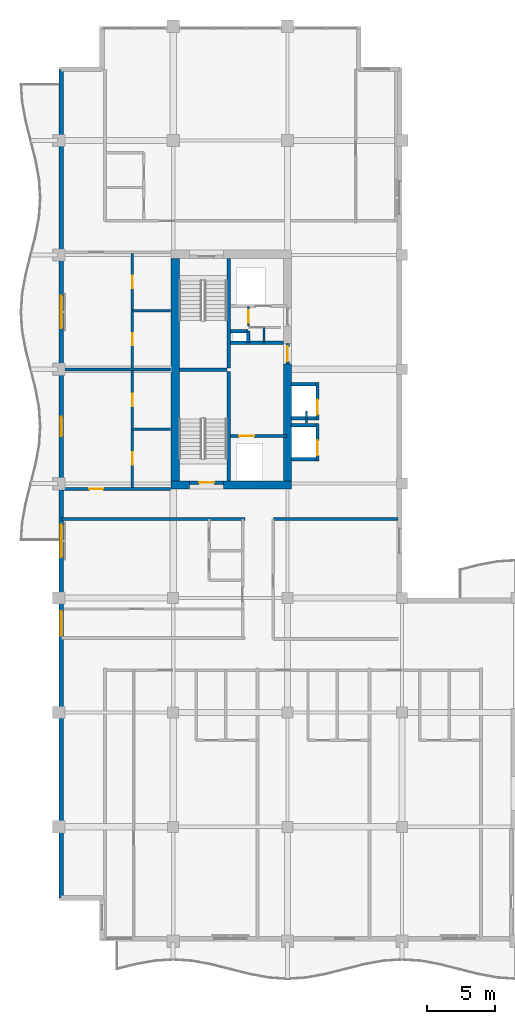
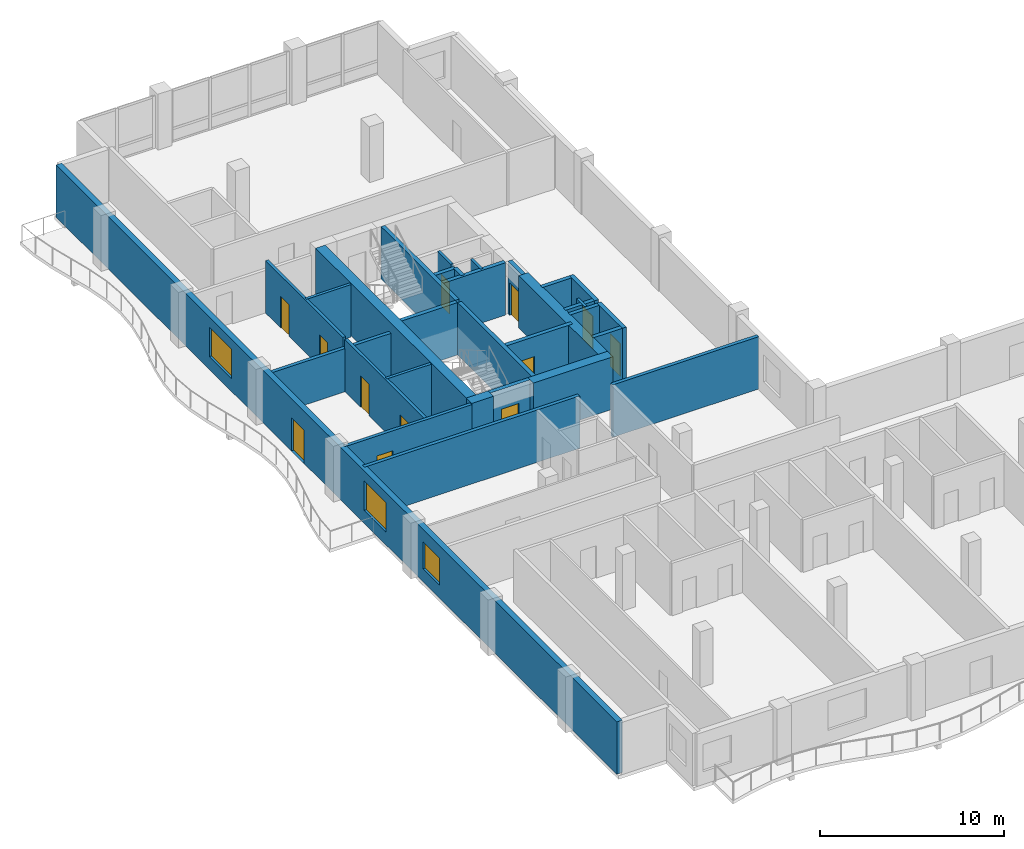
# One storey, part 9 of 16: 31 walls, 12 doors, 3 windows, 15 openings.
"""IFC4 building model written with IfcOpenShell, lengths in metres."""

from ifc_helpers import new_model, si_unit, direction, frame, frame_2d, origin, place, context, subcontext, project, spatial, rectangle, extrude, material, layer, layer_set, type_object, element, fill, save


model = new_model("IFC4")

# Units and contexts
model_context = context("Model", 3, precision=1e-05, world=origin(), true_north=direction((0.0, 1.0)))
body_context = subcontext(model_context, "Body", "Model", "MODEL_VIEW")
ifc_project = project(units=[si_unit("LENGTHUNIT", "METRE"), si_unit("AREAUNIT", "SQUARE_METRE"), si_unit("VOLUMEUNIT", "CUBIC_METRE"), si_unit("PLANEANGLEUNIT", "RADIAN"), si_unit("MASSUNIT", "GRAM", prefix="KILO")], contexts=[model_context])

# Site, building, storey
site_placement = place(None, origin())
site = spatial("IfcSite", under=ifc_project, at=site_placement, CompositionType="ELEMENT")
building_placement = place(site_placement, origin())
building = spatial("IfcBuilding", under=site, at=building_placement, Name="Koriwani Terraces Tower", CompositionType="ELEMENT")
storey_placement = place(building_placement, frame((0.0, 0.0, 252.699951171875)))
storey = spatial("IfcBuildingStorey", under=building, at=storey_placement, Name="L62", CompositionType="ELEMENT", Elevation=252.699951171875)

# Walls
ifc_material_1 = material(Name="Concrete C60/75", Category="concrete")
ifc_layer_1 = layer(ifc_material_1, 0.60009765625, Name="Concrete C60/75")
ifc_layer_set_1 = layer_set([ifc_layer_1], Name="Concrete C60/75")
wall_type_1 = type_object("IfcWallType", Name="WALL_CORE_RC_600", PredefinedType="SHEAR", material=ifc_layer_set_1)
wall_1_placement = place(storey_placement, frame((16.64990234375, 41.89990234375, 0.0), z_axis=(0.0, 0.0, 1.0), x_axis=(1.0, 0.0, 0.0)))
element("IfcWall", 1, at=wall_1_placement, inside=storey, type_object=wall_type_1, Name="L62 West Split Core Shear Wall S1", PredefinedType="SHEAR", context=body_context, shape_type="SweptSolid", body=[
    extrude(rectangle(XDim=1.35009765625, YDim=0.60009765625, at=frame_2d((0.675048828125, 0.0))), origin(), (0.0, 0.0, 1.0), 3.469970703125),
])
wall_2_placement = place(storey_placement, frame((20.5, 41.89990234375, 0.0), z_axis=(0.0, 0.0, 1.0), x_axis=(1.0, 0.0, 0.0)))
element("IfcWall", 2, at=wall_2_placement, inside=storey, type_object=wall_type_1, Name="L62 West Split Core Shear Wall S2", PredefinedType="SHEAR", context=body_context, shape_type="SweptSolid", body=[
    extrude(rectangle(XDim=5.0, YDim=0.60009765625, at=frame_2d((2.5, 0.0))), origin(), (0.0, 0.0, 1.0), 3.469970703125),
])
wall_3_placement = place(storey_placement, frame((16.949951171875, 42.199951171875, 0.0), z_axis=(0.0, 0.0, 1.0), x_axis=(0.0, 1.0, 0.0)))
element("IfcWall", 3, at=wall_3_placement, inside=storey, type_object=wall_type_1, Name="L62 West Split Core Shear Wall W1", PredefinedType="SHEAR", context=body_context, shape_type="SweptSolid", body=[
    extrude(rectangle(XDim=16.35009765625, YDim=0.60009765625, at=frame_2d((8.175048828125, 0.0))), origin(), (0.0, 0.0, 1.0), 3.469970703125),
])
wall_4_placement = place(storey_placement, frame((25.199951171875, 42.199951171875, 0.0), z_axis=(0.0, 0.0, 1.0), x_axis=(0.0, 1.0, 0.0)))
element("IfcWall", 4, at=wall_4_placement, inside=storey, type_object=wall_type_1, Name="L62 West Split Core Shear Wall E1", PredefinedType="SHEAR", context=body_context, shape_type="SweptSolid", body=[
    extrude(rectangle(XDim=8.60009765625, YDim=0.60009765625, at=frame_2d((4.300048828125, 0.0))), origin(), (0.0, 0.0, 1.0), 3.469970703125),
])

# Wall, opening, door
ifc_material_2 = material(Name="Autoclaved Cellular Concrete Blockwork", Category="masonry")
ifc_layer_2 = layer(ifc_material_2, 0.199951171875, Name="Autoclaved Cellular Concrete Blockwork")
ifc_layer_set_2 = layer_set([ifc_layer_2], Name="Autoclaved Cellular Concrete Blockwork")
wall_type_2 = type_object("IfcWallType", Name="WALL_CORRIDOR_200", PredefinedType="PARTITIONING", material=ifc_layer_set_2)
wall_5_placement = place(storey_placement, frame((8.64990234375, 41.60009765625, 0.0), z_axis=(0.0, 0.0, 1.0), x_axis=(1.0, 0.0, 0.0)))
wall_5 = element("IfcWall", 5, at=wall_5_placement, inside=storey, type_object=wall_type_2, Name="L62 Interior Wall WRZ4-WS-L62", PredefinedType="PARTITIONING", context=body_context, shape_type="SweptSolid", body=[
    extrude(rectangle(XDim=7.9501953125, YDim=0.199951171875, at=frame_2d((3.97509765625, 0.0))), origin(), (0.0, 0.0, 1.0), 3.469970703125),
])
opening_1_placement = place(wall_5_placement, frame((2.0, 0.0, 0.0)))
opening_1 = element("IfcOpeningElement", 6, at=opening_1_placement, cuts=wall_5, Name="Opening D-05", PredefinedType="OPENING", context=body_context, shape_type="SweptSolid", body=[
    extrude(rectangle(XDim=1.0, YDim=2.14990234375, at=frame_2d((0.5, 1.074951171875))), frame((0.0, 0.10986328125, 0.0), z_axis=(0.0, -1.0, 0.0), x_axis=(1.0, 0.0, 0.0)), (0.0, 0.0, 1.0), 0.219970703125),
])
ifc_material_3 = material(Name="Architectural Oak Fire Door", Category="wood")
door_type_1 = type_object("IfcDoorType", Name="DOOR_SUITE_ENTRY_1000X2150", OperationType="NOTDEFINED", PredefinedType="DOOR", material=ifc_material_3)
door_1_placement = place(opening_1_placement, origin())
door_1 = element("IfcDoor", 7, at=door_1_placement, inside=storey, type_object=door_type_1, Name="Apartment 62RW1 Entrance Door", OperationType="SINGLE_SWING_LEFT", OverallHeight=2.14990234375, OverallWidth=1.0, PredefinedType="DOOR", context=body_context, shape_type="SweptSolid", body=[
    extrude(rectangle(XDim=1.0, YDim=2.14990234375, at=frame_2d((0.5, 1.074951171875))), frame((0.0, 0.02490234375, 0.0), z_axis=(0.0, -1.0, 0.0), x_axis=(1.0, 0.0, 0.0)), (0.0, 0.0, 1.0), 0.050048828125),
])
fill(opening_1, door_1)

# Walls
ifc_layer_3 = layer(ifc_material_2, 0.219970703125, Name="Autoclaved Cellular Concrete Blockwork")
ifc_layer_set_3 = layer_set([ifc_layer_3], Name="Autoclaved Cellular Concrete Blockwork")
wall_type_3 = type_object("IfcWallType", Name="WALL_DEMISING_220", PredefinedType="PARTITIONING", material=ifc_layer_set_3)
wall_6_placement = place(storey_placement, frame((24.14990234375, 39.39990234375, 0.0), z_axis=(0.0, 0.0, 1.0), x_axis=(1.0, 0.0, 0.0)))
element("IfcWall", 8, at=wall_6_placement, inside=storey, type_object=wall_type_3, Name="L62 Interior Wall WIC4WN-L62", PredefinedType="PARTITIONING", context=body_context, shape_type="SweptSolid", body=[
    extrude(rectangle(XDim=9.150146484375, YDim=0.219970703125, at=frame_2d((4.5751953125, 0.0))), origin(), (0.0, 0.0, 1.0), 3.469970703125),
])
wall_7_placement = place(storey_placement, frame((8.64990234375, 50.39990234375, 0.0), z_axis=(0.0, 0.0, 1.0), x_axis=(1.0, 0.0, 0.0)))
element("IfcWall", 9, at=wall_7_placement, inside=storey, type_object=wall_type_3, Name="L62 Interior Wall WRZ4-WM-L62", PredefinedType="PARTITIONING", context=body_context, shape_type="SweptSolid", body=[
    extrude(rectangle(XDim=7.9501953125, YDim=0.219970703125, at=frame_2d((3.97509765625, 0.0))), origin(), (0.0, 0.0, 1.0), 2.859130859375),
])
wall_8_placement = place(storey_placement, frame((8.60009765625, 39.39990234375, 0.0), z_axis=(0.0, 0.0, 1.0), x_axis=(1.0, 0.0, 0.0)))
element("IfcWall", 10, at=wall_8_placement, inside=storey, type_object=wall_type_3, Name="L62 Interior Wall WRDEME-L62-NE", PredefinedType="PARTITIONING", context=body_context, shape_type="SweptSolid", body=[
    extrude(rectangle(XDim=13.47998046875, YDim=0.219970703125, at=frame_2d((6.739990234375, 0.0))), origin(), (0.0, 0.0, 1.0), 3.469970703125),
])

# Wall, openings, door, windows
ifc_material_4 = material(Name="Concrete C50/60", Category="concrete")
ifc_layer_4 = layer(ifc_material_4, 0.35009765625, Name="Concrete C50/60")
ifc_layer_set_4 = layer_set([ifc_layer_4], Name="Concrete C50/60")
wall_type_4 = type_object("IfcWallType", Name="WALL_EXT_BRUTALIST_350", PredefinedType="STANDARD", material=ifc_layer_set_4)
wall_9_placement = place(storey_placement, frame((8.574951171875, 11.574951171875, 0.0), z_axis=(0.0, 0.0, 1.0), x_axis=(0.0, 1.0, 0.0)))
wall_9 = element("IfcWall", 11, at=wall_9_placement, inside=storey, type_object=wall_type_4, Name="L62 Fair-Faced Brutalist Exterior Wall (W)", PredefinedType="STANDARD", context=body_context, shape_type="SweptSolid", body=[
    extrude(rectangle(XDim=60.85009765625, YDim=0.35009765625, at=frame_2d((30.425048828125, 0.0))), origin(), (0.0, 0.0, 1.0), 3.469970703125),
])
opening_2_placement = place(wall_9_placement, frame((33.925048828125, 0.0, 0.0)))
opening_2 = element("IfcOpeningElement", 12, at=opening_2_placement, cuts=wall_9, Name="Opening D-09", PredefinedType="OPENING", context=body_context, shape_type="SweptSolid", body=[
    extrude(rectangle(XDim=1.39990234375, YDim=2.199951171875, at=frame_2d((0.699951171875, 1.10009765625))), frame((0.0, 0.18505859375, 0.0), z_axis=(0.0, -1.0, 0.0), x_axis=(1.0, 0.0, 0.0)), (0.0, 0.0, 1.0), 0.3701171875),
])
opening_3_placement = place(wall_9_placement, frame((25.02490234375, 0.0, 0.85009765625)))
opening_3 = element("IfcOpeningElement", 13, at=opening_3_placement, cuts=wall_9, Name="Opening W-03", PredefinedType="OPENING", context=body_context, shape_type="SweptSolid", body=[
    extrude(rectangle(XDim=2.39990234375, YDim=1.949951171875, at=frame_2d((1.199951171875, 0.97509765625))), frame((0.0, 0.18505859375, 0.0), z_axis=(0.0, -1.0, 0.0), x_axis=(1.0, 0.0, 0.0)), (0.0, 0.0, 1.0), 0.3701171875),
])
opening_4_placement = place(wall_9_placement, frame((41.824951171875, 0.0, 0.85009765625)))
opening_4 = element("IfcOpeningElement", 14, at=opening_4_placement, cuts=wall_9, Name="Opening W-03", PredefinedType="OPENING", context=body_context, shape_type="SweptSolid", body=[
    extrude(rectangle(XDim=2.39990234375, YDim=1.949951171875, at=frame_2d((1.199951171875, 0.97509765625))), frame((0.0, 0.18505859375, 0.0), z_axis=(0.0, -1.0, 0.0), x_axis=(1.0, 0.0, 0.0)), (0.0, 0.0, 1.0), 0.3701171875),
])
opening_5_placement = place(wall_9_placement, frame((19.25, 0.0, 0.85009765625)))
opening_5 = element("IfcOpeningElement", 15, at=opening_5_placement, cuts=wall_9, Name="Opening W-04", PredefinedType="OPENING", context=body_context, shape_type="SweptSolid", body=[
    extrude(rectangle(XDim=1.800048828125, YDim=1.800048828125, at=frame_2d((0.89990234375, 0.89990234375))), frame((0.0, 0.18505859375, 0.0), z_axis=(0.0, -1.0, 0.0), x_axis=(1.0, 0.0, 0.0)), (0.0, 0.0, 1.0), 0.3701171875),
])
ifc_material_5 = material(Name="Anodised Bronze Aluminium", Category="aluminium")
door_type_2 = type_object("IfcDoorType", Name="DOOR_BALCONY_GLAZED_1400X2200", OperationType="NOTDEFINED", PredefinedType="DOOR", material=ifc_material_5)
door_2_placement = place(opening_2_placement, origin())
door_2 = element("IfcDoor", 16, at=door_2_placement, inside=storey, type_object=door_type_2, Name="L62 West Balcony Glazed Door", OperationType="SINGLE_SWING_LEFT", OverallHeight=2.199951171875, OverallWidth=1.39990234375, PredefinedType="DOOR", context=body_context, shape_type="SweptSolid", body=[
    extrude(rectangle(XDim=1.39990234375, YDim=2.199951171875, at=frame_2d((0.699951171875, 1.10009765625))), frame((0.0, 0.02490234375, 0.0), z_axis=(0.0, -1.0, 0.0), x_axis=(1.0, 0.0, 0.0)), (0.0, 0.0, 1.0), 0.050048828125),
])
fill(opening_2, door_2)
ifc_material_6 = material(Name="Tempered Laminated Low-E Glass", Category="glass")
window_type_1 = type_object("IfcWindowType", Name="WIN_RES_BED_1800X1800", PartitioningType="DOUBLE_PANEL_VERTICAL", PredefinedType="WINDOW", material=ifc_material_6)
window_1_placement = place(opening_5_placement, origin())
window_1 = element("IfcWindow", 17, at=window_1_placement, inside=storey, type_object=window_type_1, Name="L62 Exterior Window (W-R43)", OverallHeight=1.800048828125, OverallWidth=1.800048828125, PartitioningType="SINGLE_PANEL", PredefinedType="WINDOW", context=body_context, shape_type="SweptSolid", body=[
    extrude(rectangle(XDim=1.800048828125, YDim=1.800048828125, at=frame_2d((0.89990234375, 0.89990234375))), frame((0.0, 0.030029296875, 0.0), z_axis=(0.0, -1.0, 0.0), x_axis=(1.0, 0.0, 0.0)), (0.0, 0.0, 1.0), 0.06005859375),
])
fill(opening_5, window_1)
window_type_2 = type_object("IfcWindowType", Name="WIN_RES_LIVING_2400X1950", PartitioningType="DOUBLE_PANEL_VERTICAL", PredefinedType="WINDOW", material=ifc_material_6)
window_2_placement = place(opening_3_placement, origin())
window_2 = element("IfcWindow", 18, at=window_2_placement, inside=storey, type_object=window_type_2, Name="L62 Exterior Window (W-9)", OverallHeight=1.949951171875, OverallWidth=2.39990234375, PartitioningType="SINGLE_PANEL", PredefinedType="WINDOW", context=body_context, shape_type="SweptSolid", body=[
    extrude(rectangle(XDim=2.39990234375, YDim=1.949951171875, at=frame_2d((1.199951171875, 0.97509765625))), frame((0.0, 0.030029296875, 0.0), z_axis=(0.0, -1.0, 0.0), x_axis=(1.0, 0.0, 0.0)), (0.0, 0.0, 1.0), 0.06005859375),
])
fill(opening_3, window_2)
window_3_placement = place(opening_4_placement, origin())
window_3 = element("IfcWindow", 19, at=window_3_placement, inside=storey, type_object=window_type_2, Name="L62 Exterior Window (W-15)", OverallHeight=1.949951171875, OverallWidth=2.39990234375, PartitioningType="SINGLE_PANEL", PredefinedType="WINDOW", context=body_context, shape_type="SweptSolid", body=[
    extrude(rectangle(XDim=2.39990234375, YDim=1.949951171875, at=frame_2d((1.199951171875, 0.97509765625))), frame((0.0, 0.030029296875, 0.0), z_axis=(0.0, -1.0, 0.0), x_axis=(1.0, 0.0, 0.0)), (0.0, 0.0, 1.0), 0.06005859375),
])
fill(opening_4, window_3)

# Wall, openings, doors
ifc_material_7 = material(Name="Fire-Rated Acoustic Gypsum Partition", Category="masonry")
ifc_layer_5 = layer(ifc_material_7, 0.179931640625, Name="Fire-Rated Acoustic Gypsum Partition")
ifc_layer_set_5 = layer_set([ifc_layer_5], Name="Fire-Rated Acoustic Gypsum Partition")
wall_type_5 = type_object("IfcWallType", Name="WALL_PLUMBING_180", PredefinedType="PLUMBINGWALL", material=ifc_layer_set_5)
wall_10_placement = place(storey_placement, frame((13.800048828125, 41.699951171875, 0.0), z_axis=(0.0, 0.0, 1.0), x_axis=(0.0, 1.0, 0.0)))
wall_10 = element("IfcWall", 20, at=wall_10_placement, inside=storey, type_object=wall_type_5, Name="L62 Interior Wall WRZ4-RW1-PB-L62", PredefinedType="PLUMBINGWALL", context=body_context, shape_type="SweptSolid", body=[
    extrude(rectangle(XDim=8.60009765625, YDim=0.179931640625, at=frame_2d((4.300048828125, 0.0))), origin(), (0.0, 0.0, 1.0), 3.469970703125),
])
opening_6_placement = place(wall_10_placement, frame((1.699951171875, 0.0, 0.0)))
opening_6 = element("IfcOpeningElement", 21, at=opening_6_placement, cuts=wall_10, Name="Opening D-07", PredefinedType="OPENING", context=body_context, shape_type="SweptSolid", body=[
    extrude(rectangle(XDim=0.89990234375, YDim=2.10009765625, at=frame_2d((0.449951171875, 1.050048828125))), frame((0.0, 0.10009765625, 0.0), z_axis=(0.0, -1.0, 0.0), x_axis=(1.0, 0.0, 0.0)), (0.0, 0.0, 1.0), 0.199951171875),
])
opening_7_placement = place(wall_10_placement, frame((5.989990234375, 0.0, 0.0)))
opening_7 = element("IfcOpeningElement", 22, at=opening_7_placement, cuts=wall_10, Name="Opening D-06", PredefinedType="OPENING", context=body_context, shape_type="SweptSolid", body=[
    extrude(rectangle(XDim=0.919921875, YDim=2.10009765625, at=frame_2d((0.4599609375, 1.050048828125))), frame((0.0, 0.10009765625, 0.0), z_axis=(0.0, -1.0, 0.0), x_axis=(1.0, 0.0, 0.0)), (0.0, 0.0, 1.0), 0.199951171875),
])
door_type_3 = type_object("IfcDoorType", Name="DOOR_BATH_INT_900X2100", OperationType="NOTDEFINED", PredefinedType="DOOR", material=ifc_material_3)
door_3_placement = place(opening_6_placement, origin())
door_3 = element("IfcDoor", 23, at=door_3_placement, inside=storey, type_object=door_type_3, Name="Apartment 62RW1 Bathroom Door", OperationType="SINGLE_SWING_LEFT", OverallHeight=2.10009765625, OverallWidth=0.89990234375, PredefinedType="DOOR", context=body_context, shape_type="SweptSolid", body=[
    extrude(rectangle(XDim=0.89990234375, YDim=2.10009765625, at=frame_2d((0.449951171875, 1.050048828125))), frame((0.0, 0.02490234375, 0.0), z_axis=(0.0, -1.0, 0.0), x_axis=(1.0, 0.0, 0.0)), (0.0, 0.0, 1.0), 0.050048828125),
])
fill(opening_6, door_3)
door_type_4 = type_object("IfcDoorType", Name="DOOR_ROOM_INT_920X2100", OperationType="NOTDEFINED", PredefinedType="DOOR", material=ifc_material_3)
door_4_placement = place(opening_7_placement, origin())
door_4 = element("IfcDoor", 24, at=door_4_placement, inside=storey, type_object=door_type_4, Name="Apartment 62RW1 Kitchen Door", OperationType="SINGLE_SWING_RIGHT", OverallHeight=2.10009765625, OverallWidth=0.919921875, PredefinedType="DOOR", context=body_context, shape_type="SweptSolid", body=[
    extrude(rectangle(XDim=0.919921875, YDim=2.10009765625, at=frame_2d((0.4599609375, 1.050048828125))), frame((0.0, 0.02490234375, 0.0), z_axis=(0.0, -1.0, 0.0), x_axis=(1.0, 0.0, 0.0)), (0.0, 0.0, 1.0), 0.050048828125),
])
fill(opening_7, door_4)

# Wall
wall_11_placement = place(storey_placement, frame((13.800048828125, 46.0, 0.0), z_axis=(0.0, 0.0, 1.0), x_axis=(1.0, 0.0, 0.0)))
element("IfcWall", 25, at=wall_11_placement, inside=storey, type_object=wall_type_5, Name="L62 Interior Wall WRZ4-RW1-P2-L62", PredefinedType="PLUMBINGWALL", context=body_context, shape_type="SweptSolid", body=[
    extrude(rectangle(XDim=2.800048828125, YDim=0.179931640625, at=frame_2d((1.39990234375, 0.0))), origin(), (0.0, 0.0, 1.0), 3.469970703125),
])

# Wall, openings, doors
wall_12_placement = place(storey_placement, frame((13.800048828125, 50.5, 0.0), z_axis=(0.0, 0.0, 1.0), x_axis=(0.0, 1.0, 0.0)))
wall_12 = element("IfcWall", 26, at=wall_12_placement, inside=storey, type_object=wall_type_5, Name="L62 Interior Wall WRZ4-RW2-PB-L62", PredefinedType="PLUMBINGWALL", context=body_context, shape_type="SweptSolid", body=[
    extrude(rectangle(XDim=8.39990234375, YDim=0.179931640625, at=frame_2d((4.199951171875, 0.0))), origin(), (0.0, 0.0, 1.0), 3.469970703125),
])
opening_8_placement = place(wall_12_placement, frame((1.64990234375, 0.0, 0.0)))
opening_8 = element("IfcOpeningElement", 27, at=opening_8_placement, cuts=wall_12, Name="Opening D-07", PredefinedType="OPENING", context=body_context, shape_type="SweptSolid", body=[
    extrude(rectangle(XDim=0.89990234375, YDim=2.10009765625, at=frame_2d((0.449951171875, 1.050048828125))), frame((0.0, 0.10009765625, 0.0), z_axis=(0.0, -1.0, 0.0), x_axis=(1.0, 0.0, 0.0)), (0.0, 0.0, 1.0), 0.199951171875),
])
opening_9_placement = place(wall_12_placement, frame((5.840087890625, 0.0, 0.0)))
opening_9 = element("IfcOpeningElement", 28, at=opening_9_placement, cuts=wall_12, Name="Opening D-06", PredefinedType="OPENING", context=body_context, shape_type="SweptSolid", body=[
    extrude(rectangle(XDim=0.919921875, YDim=2.10009765625, at=frame_2d((0.4599609375, 1.050048828125))), frame((0.0, 0.10009765625, 0.0), z_axis=(0.0, -1.0, 0.0), x_axis=(1.0, 0.0, 0.0)), (0.0, 0.0, 1.0), 0.199951171875),
])
door_5_placement = place(opening_8_placement, origin())
door_5 = element("IfcDoor", 29, at=door_5_placement, inside=storey, type_object=door_type_3, Name="Apartment 62RW2 Bathroom Door", OperationType="SINGLE_SWING_LEFT", OverallHeight=2.10009765625, OverallWidth=0.89990234375, PredefinedType="DOOR", context=body_context, shape_type="SweptSolid", body=[
    extrude(rectangle(XDim=0.89990234375, YDim=2.10009765625, at=frame_2d((0.449951171875, 1.050048828125))), frame((0.0, 0.02490234375, 0.0), z_axis=(0.0, -1.0, 0.0), x_axis=(1.0, 0.0, 0.0)), (0.0, 0.0, 1.0), 0.050048828125),
])
fill(opening_8, door_5)
door_6_placement = place(opening_9_placement, origin())
door_6 = element("IfcDoor", 30, at=door_6_placement, inside=storey, type_object=door_type_4, Name="Apartment 62RW2 Kitchen Door", OperationType="SINGLE_SWING_RIGHT", OverallHeight=2.10009765625, OverallWidth=0.919921875, PredefinedType="DOOR", context=body_context, shape_type="SweptSolid", body=[
    extrude(rectangle(XDim=0.919921875, YDim=2.10009765625, at=frame_2d((0.4599609375, 1.050048828125))), frame((0.0, 0.02490234375, 0.0), z_axis=(0.0, -1.0, 0.0), x_axis=(1.0, 0.0, 0.0)), (0.0, 0.0, 1.0), 0.050048828125),
])
fill(opening_9, door_6)

# Walls
wall_13_placement = place(storey_placement, frame((13.800048828125, 54.699951171875, 0.0), z_axis=(0.0, 0.0, 1.0), x_axis=(1.0, 0.0, 0.0)))
element("IfcWall", 31, at=wall_13_placement, inside=storey, type_object=wall_type_5, Name="L62 Interior Wall WRZ4-RW2-P2-L62", PredefinedType="PLUMBINGWALL", context=body_context, shape_type="SweptSolid", body=[
    extrude(rectangle(XDim=2.800048828125, YDim=0.179931640625, at=frame_2d((1.39990234375, 0.0))), origin(), (0.0, 0.0, 1.0), 3.469970703125),
])
ifc_material_8 = material(Name="Concrete C40/50", Category="concrete")
ifc_layer_6 = layer(ifc_material_8, 0.25, Name="Concrete C40/50")
ifc_layer_set_6 = layer_set([ifc_layer_6], Name="Concrete C40/50")
wall_type_6 = type_object("IfcWallType", Name="WALL_SHAFT_RATED_250", PredefinedType="SOLIDWALL", material=ifc_layer_set_6)
for number, where, z_axis, x_axis, name in (
    (32, (20.875, 42.199951171875, 0.0), (0.0, 0.0, 1.0), (0.0, 1.0, 0.0), "L62 West Split Core Web Wall MID1"),
    (33, (20.875, 50.5, 0.0), (0.0, 0.0, 1.0), (0.0, 1.0, 0.0), "L62 West Split Core Web Wall MID2"),
):
    element("IfcWall", number, at=place(storey_placement, frame(where, z_axis=z_axis, x_axis=x_axis)), inside=storey, type_object=wall_type_6, Name=name, PredefinedType="SOLIDWALL", context=body_context, shape_type="SweptSolid", body=[
        extrude(rectangle(XDim=8.050048828125, YDim=0.25, at=frame_2d((4.02490234375, 0.0))), origin(), (0.0, 0.0, 1.0), 3.469970703125),
    ])
wall_14_placement = place(storey_placement, frame((17.25, 50.375, 0.0), z_axis=(0.0, 0.0, 1.0), x_axis=(1.0, 0.0, 0.0)))
element("IfcWall", 34, at=wall_14_placement, inside=storey, type_object=wall_type_6, Name="L62 West Split Core Stair Dividing Wall", PredefinedType="SOLIDWALL", context=body_context, shape_type="SweptSolid", body=[
    extrude(rectangle(XDim=3.5, YDim=0.25, at=frame_2d((1.75, 0.0))), origin(), (0.0, 0.0, 1.0), 3.469970703125),
])

# Wall, opening, door
wall_15_placement = place(storey_placement, frame((18.0, 42.074951171875, 0.0), z_axis=(0.0, 0.0, 1.0), x_axis=(1.0, 0.0, 0.0)))
wall_15 = element("IfcWall", 35, at=wall_15_placement, inside=storey, type_object=wall_type_6, Name="L62 Interior Wall WIN-CW-L62-STS", PredefinedType="SOLIDWALL", context=body_context, shape_type="SweptSolid", body=[
    extrude(rectangle(XDim=2.5, YDim=0.25, at=frame_2d((1.25, 0.0))), origin(), (0.0, 0.0, 1.0), 3.469970703125),
])
opening_10_placement = place(wall_15_placement, frame((0.699951171875, 0.0, 0.0)))
opening_10 = element("IfcOpeningElement", 36, at=opening_10_placement, cuts=wall_15, Name="Opening D-03", PredefinedType="OPENING", context=body_context, shape_type="SweptSolid", body=[
    extrude(rectangle(XDim=1.10009765625, YDim=2.14990234375, at=frame_2d((0.550048828125, 1.074951171875))), frame((0.0, 0.135009765625, 0.0), z_axis=(0.0, -1.0, 0.0), x_axis=(1.0, 0.0, 0.0)), (0.0, 0.0, 1.0), 0.27001953125),
])
ifc_material_9 = material(Name="Steel ASTM A572 Grade 50", Category="steel")
door_type_5 = type_object("IfcDoorType", Name="DOOR_STAIR_FIRE_1100X2150", OperationType="NOTDEFINED", PredefinedType="DOOR", material=ifc_material_9)
door_7_placement = place(opening_10_placement, origin())
door_7 = element("IfcDoor", 37, at=door_7_placement, inside=storey, type_object=door_type_5, Name="L62 Exit Stair ST-W1 Door", OperationType="SINGLE_SWING_RIGHT", OverallHeight=2.14990234375, OverallWidth=1.10009765625, PredefinedType="DOOR", context=body_context, shape_type="SweptSolid", body=[
    extrude(rectangle(XDim=1.10009765625, YDim=2.14990234375, at=frame_2d((0.550048828125, 1.074951171875))), frame((0.0, 0.02490234375, 0.0), z_axis=(0.0, -1.0, 0.0), x_axis=(1.0, 0.0, 0.0)), (0.0, 0.0, 1.0), 0.050048828125),
])
fill(opening_10, door_7)

wall_16_placement = place(storey_placement, frame((21.0, 45.5, 0.0), z_axis=(0.0, 0.0, 1.0), x_axis=(1.0, 0.0, 0.0)))
wall_16 = element("IfcWall", 38, at=wall_16_placement, inside=storey, type_object=wall_type_6, Name="L62 Interior Wall WIN-CW-L62-FE", PredefinedType="SOLIDWALL", context=body_context, shape_type="SweptSolid", body=[
    extrude(rectangle(XDim=4.14990234375, YDim=0.25, at=frame_2d((2.074951171875, 0.0))), origin(), (0.0, 0.0, 1.0), 3.469970703125),
])
opening_11_placement = place(wall_16_placement, frame((0.64990234375, 0.0, 0.0)))
opening_11 = element("IfcOpeningElement", 39, at=opening_11_placement, cuts=wall_16, Name="Opening LD-01", PredefinedType="OPENING", context=body_context, shape_type="SweptSolid", body=[
    extrude(rectangle(XDim=1.10009765625, YDim=2.14990234375, at=frame_2d((0.550048828125, 1.074951171875))), frame((0.0, 0.135009765625, 0.0), z_axis=(0.0, -1.0, 0.0), x_axis=(1.0, 0.0, 0.0)), (0.0, 0.0, 1.0), 0.27001953125),
])
door_type_6 = type_object("IfcDoorType", Name="DOOR_LIFT_LANDING_1100X2200", OperationType="NOTDEFINED", PredefinedType="DOOR", material=ifc_material_9)
door_8_placement = place(opening_11_placement, origin())
door_8 = element("IfcDoor", 40, at=door_8_placement, inside=storey, type_object=door_type_6, Name="L62 Firefighting Lift FE-01 Landing Door", OperationType="SLIDING_TO_LEFT", OverallHeight=2.14990234375, OverallWidth=1.10009765625, PredefinedType="DOOR", context=body_context, shape_type="SweptSolid", body=[
    extrude(rectangle(XDim=1.10009765625, YDim=2.14990234375, at=frame_2d((0.550048828125, 1.074951171875))), frame((0.0, 0.02490234375, 0.0), z_axis=(0.0, -1.0, 0.0), x_axis=(1.0, 0.0, 0.0)), (0.0, 0.0, 1.0), 0.050048828125),
])
fill(opening_11, door_8)

wall_17_placement = place(storey_placement, frame((25.199951171875, 50.800048828125, 0.0), z_axis=(0.0, 0.0, 1.0), x_axis=(0.0, 1.0, 0.0)))
wall_17 = element("IfcWall", 41, at=wall_17_placement, inside=storey, type_object=wall_type_6, Name="L62 Interior Wall WIN-CW-L62-EP", PredefinedType="SOLIDWALL", context=body_context, shape_type="SweptSolid", body=[
    extrude(rectangle(XDim=1.47998046875, YDim=0.25, at=frame_2d((0.739990234375, 0.0))), origin(), (0.0, 0.0, 1.0), 3.469970703125),
])
opening_12_placement = place(wall_17_placement, frame((0.179931640625, 0.0, 0.0)))
opening_12 = element("IfcOpeningElement", 42, at=opening_12_placement, cuts=wall_17, Name="Opening D-03", PredefinedType="OPENING", context=body_context, shape_type="SweptSolid", body=[
    extrude(rectangle(XDim=1.10009765625, YDim=2.14990234375, at=frame_2d((0.550048828125, 1.074951171875))), frame((0.0, 0.135009765625, 0.0), z_axis=(0.0, -1.0, 0.0), x_axis=(1.0, 0.0, 0.0)), (0.0, 0.0, 1.0), 0.27001953125),
])
door_9_placement = place(opening_12_placement, origin())
door_9 = element("IfcDoor", 43, at=door_9_placement, inside=storey, type_object=door_type_5, Name="L62 West Firefighting Lobby Door", OperationType="SINGLE_SWING_RIGHT", OverallHeight=2.14990234375, OverallWidth=1.10009765625, PredefinedType="DOOR", context=body_context, shape_type="SweptSolid", body=[
    extrude(rectangle(XDim=1.10009765625, YDim=2.14990234375, at=frame_2d((0.550048828125, 1.074951171875))), frame((0.0, 0.02490234375, 0.0), z_axis=(0.0, -1.0, 0.0), x_axis=(1.0, 0.0, 0.0)), (0.0, 0.0, 1.0), 0.050048828125),
])
fill(opening_12, door_9)

# Walls
wall_18_placement = place(storey_placement, frame((21.0, 52.340087890625, 0.0), z_axis=(0.0, 0.0, 1.0), x_axis=(1.0, 0.0, 0.0)))
element("IfcWall", 44, at=wall_18_placement, inside=storey, type_object=wall_type_6, Name="L62 Interior Wall WIN-CW-L62-FFN", PredefinedType="SOLIDWALL", context=body_context, shape_type="SweptSolid", body=[
    extrude(rectangle(XDim=3.89990234375, YDim=0.25, at=frame_2d((1.949951171875, 0.0))), origin(), (0.0, 0.0, 1.0), 3.469970703125),
])
wall_19_placement = place(storey_placement, frame((21.0, 53.199951171875, 0.0), z_axis=(0.0, 0.0, 1.0), x_axis=(1.0, 0.0, 0.0)))
element("IfcWall", 45, at=wall_19_placement, inside=storey, type_object=wall_type_6, Name="L62 Interior Wall WIN-CW-L62-RS1", PredefinedType="SOLIDWALL", context=body_context, shape_type="SweptSolid", body=[
    extrude(rectangle(XDim=1.300048828125, YDim=0.25, at=frame_2d((0.64990234375, 0.0))), origin(), (0.0, 0.0, 1.0), 3.469970703125),
])
wall_20_placement = place(storey_placement, frame((22.300048828125, 52.360107421875, 0.0), z_axis=(0.0, 0.0, 1.0), x_axis=(0.0, 1.0, 0.0)))
element("IfcWall", 46, at=wall_20_placement, inside=storey, type_object=wall_type_6, Name="L62 Interior Wall WIN-CW-L62-RS2", PredefinedType="SOLIDWALL", context=body_context, shape_type="SweptSolid", body=[
    extrude(rectangle(XDim=0.83984375, YDim=0.25, at=frame_2d((0.419921875, 0.0))), origin(), (0.0, 0.0, 1.0), 3.469970703125),
])

# Wall, opening, door
wall_21_placement = place(storey_placement, frame((27.39990234375, 43.675048828125, 0.0), z_axis=(0.0, 0.0, 1.0), x_axis=(0.0, 1.0, 0.0)))
wall_21 = element("IfcWall", 47, at=wall_21_placement, inside=storey, type_object=wall_type_6, Name="L62 Interior Wall WIN-LF-PE-H1-L62-F", PredefinedType="SOLIDWALL", context=body_context, shape_type="SweptSolid", body=[
    extrude(rectangle(XDim=2.75, YDim=0.25, at=frame_2d((1.375, 0.0))), origin(), (0.0, 0.0, 1.0), 3.469970703125),
])
opening_13_placement = place(wall_21_placement, frame((0.39990234375, 0.0, 0.0)))
opening_13 = element("IfcOpeningElement", 48, at=opening_13_placement, cuts=wall_21, Name="Opening LD-01", PredefinedType="OPENING", context=body_context, shape_type="SweptSolid", body=[
    extrude(rectangle(XDim=1.10009765625, YDim=2.14990234375, at=frame_2d((0.550048828125, 1.074951171875))), frame((0.0, 0.135009765625, 0.0), z_axis=(0.0, -1.0, 0.0), x_axis=(1.0, 0.0, 0.0)), (0.0, 0.0, 1.0), 0.27001953125),
])
door_10_placement = place(opening_13_placement, origin())
door_10 = element("IfcDoor", 49, at=door_10_placement, inside=storey, type_object=door_type_6, Name="L62 Passenger Lift PE-H1 Landing Door", OperationType="SLIDING_TO_LEFT", OverallHeight=2.14990234375, OverallWidth=1.10009765625, PredefinedType="DOOR", context=body_context, shape_type="SweptSolid", body=[
    extrude(rectangle(XDim=1.10009765625, YDim=2.14990234375, at=frame_2d((0.550048828125, 1.074951171875))), frame((0.0, 0.02490234375, 0.0), z_axis=(0.0, -1.0, 0.0), x_axis=(1.0, 0.0, 0.0)), (0.0, 0.0, 1.0), 0.050048828125),
])
fill(opening_13, door_10)

# Walls
for number, where, z_axis, x_axis, name in (
    (50, (25.449951171875, 43.800048828125, 0.0), (0.0, 0.0, 1.0), (1.0, 0.0, 0.0), "L62 Interior Wall WIN-LF-PE-H1-L62-S"),
    (51, (25.449951171875, 46.300048828125, 0.0), (0.0, 0.0, 1.0), (1.0, 0.0, 0.0), "L62 Interior Wall WIN-LF-PE-H1-L62-N"),
):
    element("IfcWall", number, at=place(storey_placement, frame(where, z_axis=z_axis, x_axis=x_axis)), inside=storey, type_object=wall_type_6, Name=name, PredefinedType="SOLIDWALL", context=body_context, shape_type="SweptSolid", body=[
        extrude(rectangle(XDim=1.824951171875, YDim=0.25, at=frame_2d((0.91259765625, 0.0))), origin(), (0.0, 0.0, 1.0), 3.469970703125),
    ])

# Wall, opening, door
wall_22_placement = place(storey_placement, frame((27.39990234375, 46.675048828125, 0.0), z_axis=(0.0, 0.0, 1.0), x_axis=(0.0, 1.0, 0.0)))
wall_22 = element("IfcWall", 52, at=wall_22_placement, inside=storey, type_object=wall_type_6, Name="L62 Interior Wall WIN-LF-PE-H2-L62-F", PredefinedType="SOLIDWALL", context=body_context, shape_type="SweptSolid", body=[
    extrude(rectangle(XDim=2.75, YDim=0.25, at=frame_2d((1.375, 0.0))), origin(), (0.0, 0.0, 1.0), 3.469970703125),
])
opening_14_placement = place(wall_22_placement, frame((0.39990234375, 0.0, 0.0)))
opening_14 = element("IfcOpeningElement", 53, at=opening_14_placement, cuts=wall_22, Name="Opening LD-01", PredefinedType="OPENING", context=body_context, shape_type="SweptSolid", body=[
    extrude(rectangle(XDim=1.10009765625, YDim=2.14990234375, at=frame_2d((0.550048828125, 1.074951171875))), frame((0.0, 0.135009765625, 0.0), z_axis=(0.0, -1.0, 0.0), x_axis=(1.0, 0.0, 0.0)), (0.0, 0.0, 1.0), 0.27001953125),
])
door_11_placement = place(opening_14_placement, origin())
door_11 = element("IfcDoor", 54, at=door_11_placement, inside=storey, type_object=door_type_6, Name="L62 Passenger Lift PE-H2 Landing Door", OperationType="SLIDING_TO_LEFT", OverallHeight=2.14990234375, OverallWidth=1.10009765625, PredefinedType="DOOR", context=body_context, shape_type="SweptSolid", body=[
    extrude(rectangle(XDim=1.10009765625, YDim=2.14990234375, at=frame_2d((0.550048828125, 1.074951171875))), frame((0.0, 0.02490234375, 0.0), z_axis=(0.0, -1.0, 0.0), x_axis=(1.0, 0.0, 0.0)), (0.0, 0.0, 1.0), 0.050048828125),
])
fill(opening_14, door_11)

# Walls
for number, where, z_axis, x_axis, name in (
    (55, (25.449951171875, 46.800048828125, 0.0), (0.0, 0.0, 1.0), (1.0, 0.0, 0.0), "L62 Interior Wall WIN-LF-PE-H2-L62-S"),
    (56, (25.449951171875, 49.300048828125, 0.0), (0.0, 0.0, 1.0), (1.0, 0.0, 0.0), "L62 Interior Wall WIN-LF-PE-H2-L62-N"),
):
    element("IfcWall", number, at=place(storey_placement, frame(where, z_axis=z_axis, x_axis=x_axis)), inside=storey, type_object=wall_type_6, Name=name, PredefinedType="SOLIDWALL", context=body_context, shape_type="SweptSolid", body=[
        extrude(rectangle(XDim=1.824951171875, YDim=0.25, at=frame_2d((0.91259765625, 0.0))), origin(), (0.0, 0.0, 1.0), 3.469970703125),
    ])

# Wall, opening, door
ifc_layer_7 = layer(ifc_material_7, 0.159912109375, Name="Fire-Rated Acoustic Gypsum Partition")
ifc_layer_set_7 = layer_set([ifc_layer_7], Name="Fire-Rated Acoustic Gypsum Partition")
wall_type_7 = type_object("IfcWallType", Name="WALL_SUITE_160", PredefinedType="PARTITIONING", material=ifc_layer_set_7)
wall_23_placement = place(storey_placement, frame((22.320068359375, 53.56005859375, 0.0), z_axis=(0.0, 0.0, 1.0), x_axis=(0.0, 1.0, 0.0)))
wall_23 = element("IfcWall", 57, at=wall_23_placement, inside=storey, type_object=wall_type_7, Name="L62 Interior Wall WIN-CW-L62-SV2A", PredefinedType="PARTITIONING", context=body_context, shape_type="SweptSolid", body=[
    extrude(rectangle(XDim=1.43994140625, YDim=0.159912109375, at=frame_2d((0.719970703125, 0.0))), origin(), (0.0, 0.0, 1.0), 3.469970703125),
])
opening_15_placement = place(wall_23_placement, frame((0.260009765625, 0.0, 0.0)))
opening_15 = element("IfcOpeningElement", 58, at=opening_15_placement, cuts=wall_23, Name="Opening D-07", PredefinedType="OPENING", context=body_context, shape_type="SweptSolid", body=[
    extrude(rectangle(XDim=0.89990234375, YDim=2.10009765625, at=frame_2d((0.449951171875, 1.050048828125))), frame((0.0, 0.08984375, 0.0), z_axis=(0.0, -1.0, 0.0), x_axis=(1.0, 0.0, 0.0)), (0.0, 0.0, 1.0), 0.179931640625),
])
door_12_placement = place(opening_15_placement, origin())
door_12 = element("IfcDoor", 59, at=door_12_placement, inside=storey, type_object=door_type_3, Name="L62 West Meter Room Door", OperationType="SINGLE_SWING_RIGHT", OverallHeight=2.10009765625, OverallWidth=0.89990234375, PredefinedType="DOOR", context=body_context, shape_type="SweptSolid", body=[
    extrude(rectangle(XDim=0.89990234375, YDim=2.10009765625, at=frame_2d((0.449951171875, 1.050048828125))), frame((0.0, 0.02490234375, 0.0), z_axis=(0.0, -1.0, 0.0), x_axis=(1.0, 0.0, 0.0)), (0.0, 0.0, 1.0), 0.050048828125),
])
fill(opening_15, door_12)

# Walls
wall_24_placement = place(storey_placement, frame((23.47998046875, 52.360107421875, 0.0), z_axis=(0.0, 0.0, 1.0), x_axis=(0.0, 1.0, 0.0)))
element("IfcWall", 60, at=wall_24_placement, inside=storey, type_object=wall_type_7, Name="L62 Interior Wall WIN-CW-L62-SV2V", PredefinedType="PARTITIONING", context=body_context, shape_type="SweptSolid", body=[
    extrude(rectangle(XDim=1.099853515625, YDim=0.159912109375, at=frame_2d((0.5498046875, 0.0))), origin(), (0.0, 0.0, 1.0), 3.469970703125),
])
wall_25_placement = place(storey_placement, frame((26.60009765625, 46.4599609375, 0.0), z_axis=(0.0, 0.0, 1.0), x_axis=(0.0, 1.0, 0.0)))
element("IfcWall", 61, at=wall_25_placement, inside=storey, type_object=wall_type_7, Name="L62 Interior Wall WIN-LF-PEH12-MID-L62", PredefinedType="PARTITIONING", context=body_context, shape_type="SweptSolid", body=[
    extrude(rectangle(XDim=0.880126953125, YDim=0.159912109375, at=frame_2d((0.43994140625, 0.0))), origin(), (0.0, 0.0, 1.0), 3.469970703125),
])

save(model, "model.ifc")
